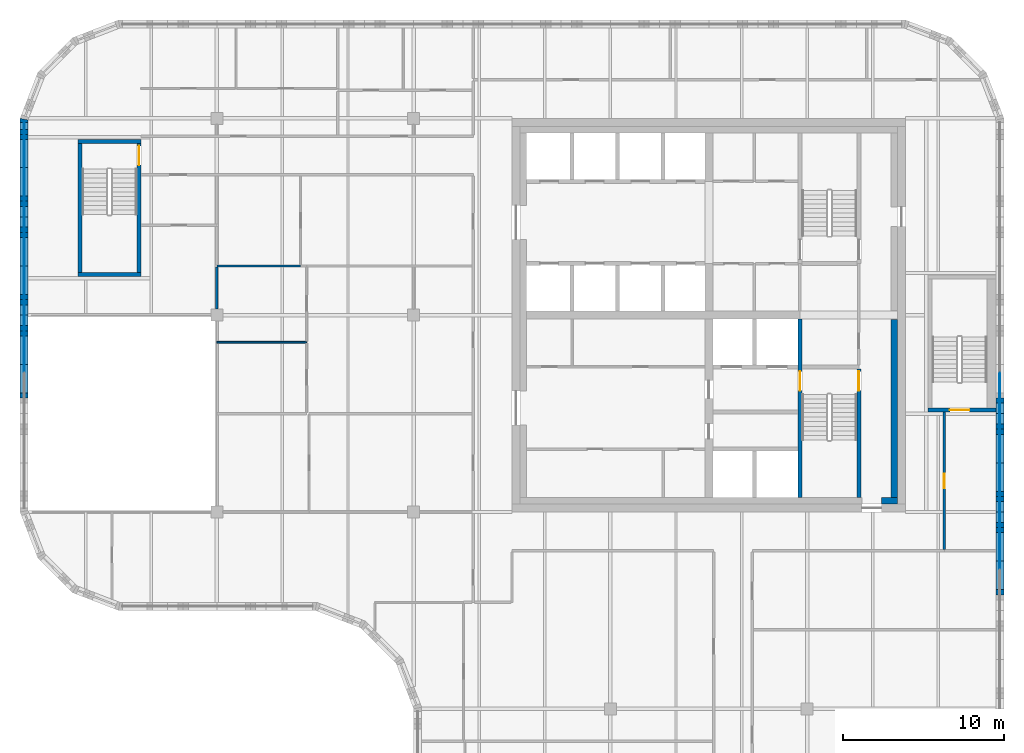
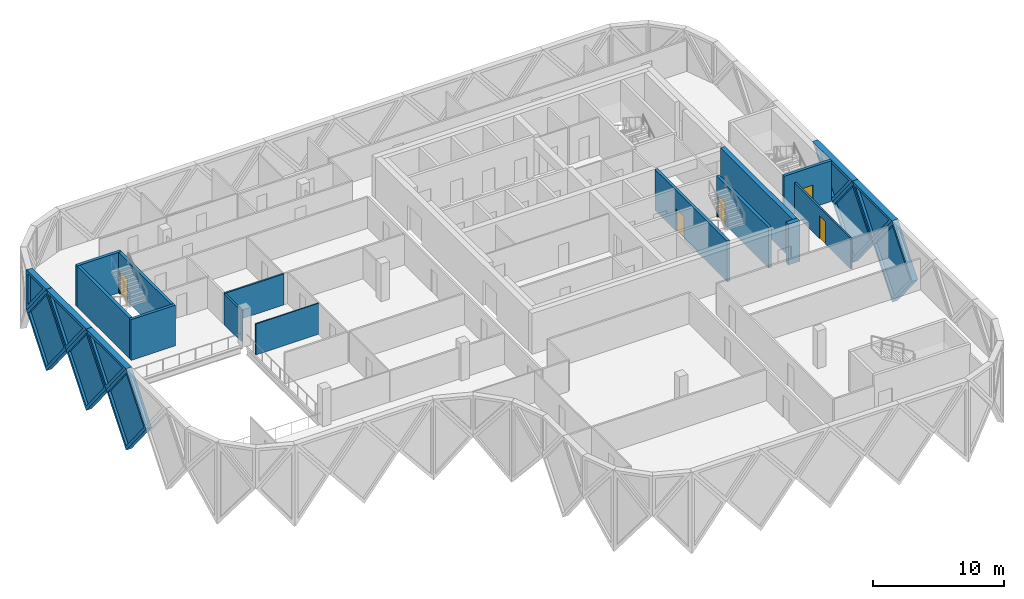
# One storey, part 8 of 15: 23 walls, 10 plates, 5 doors, 15 openings.
"""IFC4 building model written with IfcOpenShell, lengths in metres."""

from ifc_helpers import new_model, si_unit, direction, frame, frame_2d, origin, place, context, subcontext, project, spatial, polyline, rectangle, outline, extrude, faceted_brep, source, transform, mapped, material, layer, layer_set, type_object, element, fill, save


model = new_model("IFC4")

# Units and contexts
model_context = context("Model", 3, precision=1e-05, world=origin(), true_north=direction((0.0, 1.0)))
body_context = subcontext(model_context, "Body", "Model", "MODEL_VIEW")
ifc_project = project(units=[si_unit("LENGTHUNIT", "METRE"), si_unit("AREAUNIT", "SQUARE_METRE"), si_unit("VOLUMEUNIT", "CUBIC_METRE"), si_unit("PLANEANGLEUNIT", "RADIAN"), si_unit("MASSUNIT", "GRAM", prefix="KILO")], contexts=[model_context])

# Site, building, storey
site_placement = place(None, origin())
site = spatial("IfcSite", under=ifc_project, at=site_placement, CompositionType="ELEMENT")
building_placement = place(site_placement, origin())
building = spatial("IfcBuilding", under=site, at=building_placement, Name="Tessera Gate Towers", CompositionType="ELEMENT")
storey_placement = place(building_placement, frame((0.0, 0.0, 228.300048828125)))
storey = spatial("IfcBuildingStorey", under=building, at=storey_placement, Name="L57", CompositionType="ELEMENT", Elevation=228.300048828125)

# Wall, opening, door
ifc_material_1 = material(Name="Concrete C40/50", Category="concrete")
ifc_layer_1 = layer(ifc_material_1, 0.25)
ifc_layer_set_1 = layer_set([ifc_layer_1], Name="CORE ENCLOSURE WALL 250")
wall_type_1 = type_object("IfcWallType", Name="CORE ENCLOSURE WALL 250", PredefinedType="SOLIDWALL", material=ifc_layer_set_1)
wall_1_placement = place(storey_placement, frame((48.35009765625, 36.35009765625, 0.0), z_axis=(0.0, 0.0, 1.0), x_axis=(0.0, -1.0, 0.0)))
wall_1 = element("IfcWall", 1, at=wall_1_placement, inside=storey, type_object=wall_type_1, Name="L57 shaft and stair enclosure wall", PredefinedType="SOLIDWALL", context=body_context, shape_type="SweptSolid", body=[
    extrude(rectangle(XDim=11.050048828125, YDim=0.25, at=frame_2d((5.52490234375, 0.0))), origin(), (0.0, 0.0, 1.0), 3.800048828125),
])
shared_shape_1 = source(origin(), body_context, "Body", "SweptSolid", [
    extrude(rectangle(XDim=1.199951171875, YDim=2.10009765625, at=frame_2d((0.60009765625, 1.050048828125))), frame((0.0, 0.135009765625, 0.0), z_axis=(0.0, -1.0, 0.0), x_axis=(1.0, 0.0, 0.0)), (0.0, 0.0, 1.0), 0.27001953125),
])
opening_1_placement = place(wall_1_placement, frame((3.22509765625, 0.0, 0.0)))
opening_1 = element("IfcOpeningElement", 2, at=opening_1_placement, cuts=wall_1, Name="Opening SD-ST1-1", PredefinedType="OPENING", context=body_context, shape_type="MappedRepresentation", body=[
    mapped(shared_shape_1, transform((0.0, 0.0, 0.0), scale=1.0)),
])
ifc_material_2 = material(Name="Hollow steel fire door", Category="steel")
door_type_1 = type_object("IfcDoorType", Name="CORE DOOR SD 1200x2100", OperationType="NOTDEFINED", PredefinedType="DOOR", material=ifc_material_2)
shared_shape_2 = source(origin(), body_context, "Body", "SweptSolid", [
    extrude(rectangle(XDim=1.199951171875, YDim=2.10009765625, at=frame_2d((0.60009765625, 1.050048828125))), frame((0.0, 0.02490234375, 0.0), z_axis=(0.0, -1.0, 0.0), x_axis=(1.0, 0.0, 0.0)), (0.0, 0.0, 1.0), 0.050048828125),
])
door_1_placement = place(opening_1_placement, origin())
door_1 = element("IfcDoor", 3, at=door_1_placement, inside=storey, type_object=door_type_1, Name="Stair door", OperationType="SINGLE_SWING_LEFT", OverallHeight=2.10009765625, OverallWidth=1.199951171875, PredefinedType="DOOR", context=body_context, shape_type="MappedRepresentation", body=[
    mapped(shared_shape_2, transform((0.0, 0.0, 0.0), scale=1.0)),
])
fill(opening_1, door_1)

wall_2_placement = place(storey_placement, frame((52.0, 25.300048828125, 0.0), z_axis=(0.0, 0.0, 1.0), x_axis=(0.0, 1.0, 0.0)))
wall_2 = element("IfcWall", 4, at=wall_2_placement, inside=storey, type_object=wall_type_1, Name="L57 shaft and stair enclosure wall", PredefinedType="SOLIDWALL", context=body_context, shape_type="SweptSolid", body=[
    extrude(rectangle(XDim=7.974853515625, YDim=0.25, at=frame_2d((3.9873046875, 0.0))), origin(), (0.0, 0.0, 1.0), 3.800048828125),
])
opening_2_placement = place(wall_2_placement, frame((6.625, 0.0, 0.0)))
opening_2 = element("IfcOpeningElement", 5, at=opening_2_placement, cuts=wall_2, Name="Opening SD-ST1-2", PredefinedType="OPENING", context=body_context, shape_type="MappedRepresentation", body=[
    mapped(shared_shape_1, transform((0.0, 0.0, 0.0), scale=1.0)),
])
door_2_placement = place(opening_2_placement, origin())
door_2 = element("IfcDoor", 6, at=door_2_placement, inside=storey, type_object=door_type_1, Name="Stair door", OperationType="SINGLE_SWING_RIGHT", OverallHeight=2.10009765625, OverallWidth=1.199951171875, PredefinedType="DOOR", context=body_context, shape_type="MappedRepresentation", body=[
    mapped(shared_shape_2, transform((0.0, 0.0, 0.0), scale=1.0)),
])
fill(opening_2, door_2)

# Walls
wall_3_placement = place(storey_placement, frame((7.5, 39.125, 0.0), z_axis=(0.0, 0.0, 1.0), x_axis=(-1.0, 0.0, 0.0)))
element("IfcWall", 7, at=wall_3_placement, inside=storey, type_object=wall_type_1, Name="L57 ST3 enclosure wall", PredefinedType="SOLIDWALL", context=body_context, shape_type="SweptSolid", body=[
    extrude(rectangle(XDim=3.89990234375, YDim=0.25, at=frame_2d((1.949951171875, 0.0))), origin(), (0.0, 0.0, 1.0), 3.800048828125),
])
wall_4_placement = place(storey_placement, frame((3.72509765625, 39.25, 0.0), z_axis=(0.0, 0.0, 1.0), x_axis=(0.0, 1.0, 0.0)))
element("IfcWall", 8, at=wall_4_placement, inside=storey, type_object=wall_type_1, Name="L57 ST3 enclosure wall", PredefinedType="SOLIDWALL", context=body_context, shape_type="SweptSolid", body=[
    extrude(rectangle(XDim=8.0, YDim=0.25, at=frame_2d((4.0, 0.0))), origin(), (0.0, 0.0, 1.0), 3.800048828125),
])
wall_5_placement = place(storey_placement, frame((3.60009765625, 47.375, 0.0), z_axis=(0.0, 0.0, 1.0), x_axis=(1.0, 0.0, 0.0)))
element("IfcWall", 9, at=wall_5_placement, inside=storey, type_object=wall_type_1, Name="L57 ST3 enclosure wall", PredefinedType="SOLIDWALL", context=body_context, shape_type="SweptSolid", body=[
    extrude(rectangle(XDim=3.89990234375, YDim=0.25, at=frame_2d((1.949951171875, 0.0))), origin(), (0.0, 0.0, 1.0), 3.800048828125),
])

# Wall, opening, door
wall_6_placement = place(storey_placement, frame((7.375, 47.25, 0.0), z_axis=(0.0, 0.0, 1.0), x_axis=(0.0, -1.0, 0.0)))
wall_6 = element("IfcWall", 10, at=wall_6_placement, inside=storey, type_object=wall_type_1, Name="L57 ST3 enclosure wall", PredefinedType="SOLIDWALL", context=body_context, shape_type="SweptSolid", body=[
    extrude(rectangle(XDim=8.0, YDim=0.25, at=frame_2d((4.0, 0.0))), origin(), (0.0, 0.0, 1.0), 3.800048828125),
])
opening_3_placement = place(wall_6_placement, frame((0.14990234375, 0.0, 0.0)))
opening_3 = element("IfcOpeningElement", 11, at=opening_3_placement, cuts=wall_6, Name="Opening SD-ST3-1", PredefinedType="OPENING", context=body_context, shape_type="MappedRepresentation", body=[
    mapped(shared_shape_1, transform((0.0, 0.0, 0.0), scale=1.0)),
])
door_3_placement = place(opening_3_placement, origin())
door_3 = element("IfcDoor", 12, at=door_3_placement, inside=storey, type_object=door_type_1, Name="Stair door", OperationType="SINGLE_SWING_LEFT", OverallHeight=2.10009765625, OverallWidth=1.199951171875, PredefinedType="DOOR", context=body_context, shape_type="MappedRepresentation", body=[
    mapped(shared_shape_2, transform((0.0, 0.0, 0.0), scale=1.0)),
])
fill(opening_3, door_3)

wall_7_placement = place(storey_placement, frame((60.5, 30.72509765625, 0.0), z_axis=(0.0, 0.0, 1.0), x_axis=(-1.0, 0.0, 0.0)))
wall_7 = element("IfcWall", 13, at=wall_7_placement, inside=storey, type_object=wall_type_1, Name="L57 ST5 enclosure wall", PredefinedType="SOLIDWALL", context=body_context, shape_type="SweptSolid", body=[
    extrude(rectangle(XDim=4.199951171875, YDim=0.25, at=frame_2d((2.10009765625, 0.0))), origin(), (0.0, 0.0, 1.0), 3.800048828125),
])
opening_4_placement = place(wall_7_placement, frame((1.64990234375, 0.0, 0.0)))
opening_4 = element("IfcOpeningElement", 14, at=opening_4_placement, cuts=wall_7, Name="Opening SD-ST5-1", PredefinedType="OPENING", context=body_context, shape_type="MappedRepresentation", body=[
    mapped(shared_shape_1, transform((0.0, 0.0, 0.0), scale=1.0)),
])
door_4_placement = place(opening_4_placement, origin())
door_4 = element("IfcDoor", 15, at=door_4_placement, inside=storey, type_object=door_type_1, Name="Stair door", OperationType="SINGLE_SWING_RIGHT", OverallHeight=2.10009765625, OverallWidth=1.199951171875, PredefinedType="DOOR", context=body_context, shape_type="MappedRepresentation", body=[
    mapped(shared_shape_2, transform((0.0, 0.0, 0.0), scale=1.0)),
])
fill(opening_4, door_4)

# Walls
ifc_material_3 = material(Name="Concrete C50/60", Category="concrete")
ifc_layer_2 = layer(ifc_material_3, 0.39990234375)
ifc_layer_set_2 = layer_set([ifc_layer_2], Name="CORE WALL THICKENING 400")
wall_type_2 = type_object("IfcWallType", Name="CORE WALL THICKENING 400", PredefinedType="SOLIDWALL", material=ifc_layer_set_2)
wall_8_placement = place(storey_placement, frame((53.39990234375, 25.10009765625, 0.0), z_axis=(0.0, 0.0, 1.0), x_axis=(1.0, 0.0, 0.0)))
element("IfcWall", 16, at=wall_8_placement, inside=storey, type_object=wall_type_2, Name="Core wall thickening S L57", PredefinedType="SOLIDWALL", context=body_context, shape_type="SweptSolid", body=[
    extrude(rectangle(XDim=1.0, YDim=0.39990234375, at=frame_2d((0.5, 0.0))), origin(), (0.0, 0.0, 1.0), 3.800048828125),
])
wall_9_placement = place(storey_placement, frame((54.199951171875, 25.300048828125, 0.0), z_axis=(0.0, 0.0, 1.0), x_axis=(0.0, 1.0, 0.0)))
element("IfcWall", 17, at=wall_9_placement, inside=storey, type_object=wall_type_2, Name="Core wall thickening E L57", PredefinedType="SOLIDWALL", context=body_context, shape_type="SweptSolid", body=[
    extrude(rectangle(XDim=11.02001953125, YDim=0.39990234375, at=frame_2d((5.510009765625, 0.0))), origin(), (0.0, 0.0, 1.0), 3.800048828125),
])

# Wall, opening, door
ifc_material_4 = material(Name="Gypsum board on steel studs, mineral wool", Category="steel")
ifc_layer_3 = layer(ifc_material_4, 0.14990234375)
ifc_layer_set_3 = layer_set([ifc_layer_3], Name="CORRIDOR WALL 150")
wall_type_3 = type_object("IfcWallType", Name="CORRIDOR WALL 150", PredefinedType="PARTITIONING", material=ifc_layer_set_3)
wall_10_placement = place(storey_placement, frame((57.300048828125, 30.60009765625, 0.0), z_axis=(0.0, 0.0, 1.0), x_axis=(0.0, -1.0, 0.0)))
wall_10 = element("IfcWall", 18, at=wall_10_placement, inside=storey, type_object=wall_type_3, Name="T1-L57-PW-021", PredefinedType="PARTITIONING", context=body_context, shape_type="SweptSolid", body=[
    extrude(rectangle(XDim=8.524169921875, YDim=0.14990234375, at=frame_2d((4.26220703125, 0.0))), origin(), (0.0, 0.0, 1.0), 2.887939453125),
])
shared_shape_3 = source(origin(), body_context, "Body", "SweptSolid", [
    extrude(rectangle(XDim=0.89990234375, YDim=2.10009765625, at=frame_2d((0.449951171875, 1.050048828125))), frame((0.0, 0.0849609375, 0.0), z_axis=(0.0, -1.0, 0.0), x_axis=(1.0, 0.0, 0.0)), (0.0, 0.0, 1.0), 0.169921875),
])
opening_5_placement = place(wall_10_placement, frame((3.823974609375, 0.0, 0.0)))
opening_5 = element("IfcOpeningElement", 19, at=opening_5_placement, cuts=wall_10, Name="Opening D890FD60-A20-06", PredefinedType="OPENING", context=body_context, shape_type="MappedRepresentation", body=[
    mapped(shared_shape_3, transform((0.0, 0.0, 0.0), scale=1.0)),
])
ifc_material_5 = material(Name="Timber door leaf in steel frame", Category="steel")
door_type_2 = type_object("IfcDoorType", Name="CORRIDOR DOOR 900 FD60", OperationType="NOTDEFINED", PredefinedType="DOOR", material=ifc_material_5)
shared_shape_4 = source(origin(), body_context, "Body", "SweptSolid", [
    extrude(rectangle(XDim=0.89990234375, YDim=2.10009765625, at=frame_2d((0.449951171875, 1.050048828125))), frame((0.0, 0.02490234375, 0.0), z_axis=(0.0, -1.0, 0.0), x_axis=(1.0, 0.0, 0.0)), (0.0, 0.0, 1.0), 0.050048828125),
])
door_5_placement = place(opening_5_placement, origin())
door_5 = element("IfcDoor", 20, at=door_5_placement, inside=storey, type_object=door_type_2, Name="T1-L57-PD-021", OperationType="SINGLE_SWING_RIGHT", OverallHeight=2.10009765625, OverallWidth=0.89990234375, PredefinedType="DOOR", context=body_context, shape_type="MappedRepresentation", body=[
    mapped(shared_shape_4, transform((0.0, 0.0, 0.0), scale=1.0)),
])
fill(opening_5, door_5)

# Walls
ifc_material_6 = material(Name="Gypsum board on steel studs", Category="steel")
ifc_layer_4 = layer(ifc_material_6, 0.10009765625)
ifc_layer_set_4 = layer_set([ifc_layer_4], Name="PARTITION 100")
wall_type_4 = type_object("IfcWallType", Name="PARTITION 100", PredefinedType="PARTITIONING", material=ifc_layer_set_4)
wall_11_placement = place(storey_placement, frame((12.199951171875, 34.919921875, 0.0), z_axis=(0.0, 0.0, 1.0), x_axis=(1.0, 0.0, 0.0)))
element("IfcWall", 21, at=wall_11_placement, inside=storey, type_object=wall_type_4, Name="T1-L57-PW-029", PredefinedType="PARTITIONING", context=body_context, shape_type="SweptSolid", body=[
    extrude(rectangle(XDim=5.574951171875, YDim=0.10009765625, at=frame_2d((2.78759765625, 0.0))), origin(), (0.0, 0.0, 1.0), 2.887939453125),
])
ifc_material_7 = material(Name="Gypsum board on steel studs, mineral wool", Category="steel")
ifc_layer_5 = layer(ifc_material_7, 0.14990234375)
ifc_layer_set_5 = layer_set([ifc_layer_5], Name="TENANCY WALL 150")
wall_type_5 = type_object("IfcWallType", Name="TENANCY WALL 150", PredefinedType="PARTITIONING", material=ifc_layer_set_5)
wall_12_placement = place(storey_placement, frame((12.199951171875, 36.97607421875, 0.0), z_axis=(0.0, 0.0, 1.0), x_axis=(0.0, 1.0, 0.0)))
element("IfcWall", 22, at=wall_12_placement, inside=storey, type_object=wall_type_5, Name="T1-L57-PW-031", PredefinedType="PARTITIONING", context=body_context, shape_type="SweptSolid", body=[
    extrude(rectangle(XDim=2.597900390625, YDim=0.14990234375, at=frame_2d((1.298828125, 0.0))), origin(), (0.0, 0.0, 1.0), 2.887939453125),
])
wall_13_placement = place(storey_placement, frame((12.199951171875, 39.64990234375, 0.0), z_axis=(0.0, 0.0, 1.0), x_axis=(1.0, 0.0, 0.0)))
element("IfcWall", 23, at=wall_13_placement, inside=storey, type_object=wall_type_5, Name="T1-L57-PW-033", PredefinedType="PARTITIONING", context=body_context, shape_type="SweptSolid", body=[
    extrude(rectangle(XDim=5.199951171875, YDim=0.14990234375, at=frame_2d((2.60009765625, 0.0))), origin(), (0.0, 0.0, 1.0), 2.887939453125),
])

# Wall, opening, plate
ifc_material_8 = material(Name="Precast concrete C60/75 white", Category="concrete")
ifc_layer_6 = layer(ifc_material_8, 0.5)
ifc_layer_set_6 = layer_set([ifc_layer_6], Name="TS1 tessera")
wall_type_6 = type_object("IfcWallType", Name="TS1 tessera", PredefinedType="SOLIDWALL", material=ifc_layer_set_6)
shared_shape_5 = source(origin(), body_context, "Body", "Brep", [
    faceted_brep([(3.00341796875, -0.25, 0.0), (6.053466796875, -0.25, 3.800048828125), (3.00341796875, -0.25, 7.60009765625), (0.0, -0.25, 3.800048828125), (0.046630859375, 0.25, 3.85888671875), (3.00341796875, 0.25, 7.60009765625), (6.053466796875, 0.25, 3.800048828125), (3.00341796875, 0.25, 0.0), (0.046630859375, 0.25, 3.7412109375), (0.0, 0.0, 3.800048828125)], [[[0, 1, 2, 3]], [[4, 5, 6, 7, 8]], [[7, 6, 1, 0]], [[6, 5, 2, 1]], [[5, 4, 9, 3, 2]], [[8, 7, 0, 3, 9]], [[8, 9, 4]]]),
])
wall_14_placement = place(storey_placement, frame((0.25, 48.75341796875, -3.800048828125), z_axis=(0.0, 0.0, 1.0), x_axis=(0.0, -1.0, 0.0)))
wall_14 = element("IfcWall", 24, at=wall_14_placement, inside=storey, type_object=wall_type_6, Name="Precast tessera T1 TS1-1029", PredefinedType="SOLIDWALL", context=body_context, shape_type="MappedRepresentation", body=[
    mapped(shared_shape_5, transform((0.0, 0.0, 0.0), scale=1.0)),
])
shared_shape_6 = source(origin(), body_context, "Body", "SweptSolid", [
    extrude(outline(polyline([(3.0048828125, 0.4013671875), (5.73291015625, 3.800048828125), (3.0048828125, 7.19873046875), (0.318603515625, 3.800048828125), (3.0048828125, 0.4013671875)])), frame((0.0, 0.260009765625, 0.0), z_axis=(0.0, -1.0, 0.0), x_axis=(1.0, 0.0, 0.0)), (0.0, 0.0, 1.0), 0.52001953125),
])
opening_6_placement = place(wall_14_placement, origin())
opening_6 = element("IfcOpeningElement", 25, at=opening_6_placement, cuts=wall_14, Name="Opening T1-PL2-2099", PredefinedType="OPENING", context=body_context, shape_type="MappedRepresentation", body=[
    mapped(shared_shape_6, transform((0.0, 0.0, 0.0), scale=1.0)),
])
ifc_material_9 = material(Name="Low-e laminated glass", Category="glass")
ifc_layer_7 = layer(ifc_material_9, 0.06005859375)
ifc_layer_set_7 = layer_set([ifc_layer_7], Name="PL2 rhombic pane")
plate_type_1 = type_object("IfcPlateType", Name="PL2 rhombic pane", PredefinedType="SHEET", material=ifc_layer_set_7)
shared_shape_7 = source(origin(), body_context, "Body", "SweptSolid", [
    extrude(outline(polyline([(3.0048828125, 0.4013671875), (5.73291015625, 3.800048828125), (3.0048828125, 7.19873046875), (0.318603515625, 3.800048828125), (3.0048828125, 0.4013671875)])), frame((0.0, 0.030029296875, 0.0), z_axis=(0.0, -1.0, 0.0), x_axis=(1.0, 0.0, 0.0)), (0.0, 0.0, 1.0), 0.06005859375),
])
plate_1_placement = place(opening_6_placement, origin())
plate_1 = element("IfcPlate", 26, at=plate_1_placement, inside=storey, type_object=plate_type_1, Name="Glass pane T1 PL2-2099", PredefinedType="SHEET", context=body_context, shape_type="MappedRepresentation", body=[
    mapped(shared_shape_7, transform((0.0, 0.0, 0.0), scale=1.0)),
])
fill(opening_6, plate_1)

shared_shape_8 = source(origin(), body_context, "Body", "Brep", [
    faceted_brep([(3.050048828125, -0.25, 0.0), (6.099853515625, -0.25, 3.7998046875), (6.099853515625, -0.25, 3.80029296875), (3.050048828125, -0.25, 7.60009765625), (0.0, -0.25, 3.800048828125), (0.0, 0.25, 3.800048828125), (3.050048828125, 0.25, 7.60009765625), (6.099853515625, 0.25, 3.80029296875), (6.099853515625, 0.25, 3.7998046875), (3.050048828125, 0.25, 0.0)], [[[0, 1, 2, 3, 4]], [[5, 6, 7, 8, 9]], [[9, 8, 1, 0]], [[7, 6, 3, 2]], [[6, 5, 4, 3]], [[5, 9, 0, 4]], [[1, 8, 7, 2]]]),
])
wall_15_placement = place(storey_placement, frame((60.75, 18.300048828125, -3.800048828125), z_axis=(0.0, 0.0, 1.0), x_axis=(0.0, 1.0, 0.0)))
wall_15 = element("IfcWall", 27, at=wall_15_placement, inside=storey, type_object=wall_type_6, Name="Precast tessera T1 TS1-1017", PredefinedType="SOLIDWALL", context=body_context, shape_type="MappedRepresentation", body=[
    mapped(shared_shape_8, transform((0.0, 0.0, 0.0), scale=1.0)),
])
shared_shape_9 = source(origin(), body_context, "Body", "SweptSolid", [
    extrude(outline(polyline([(3.050048828125, 0.3994140625), (5.779541015625, 3.800048828125), (3.050048828125, 7.20068359375), (0.320556640625, 3.800048828125), (3.050048828125, 0.3994140625)])), frame((0.0, 0.260009765625, 0.0), z_axis=(0.0, -1.0, 0.0), x_axis=(1.0, 0.0, 0.0)), (0.0, 0.0, 1.0), 0.52001953125),
])
opening_7_placement = place(wall_15_placement, origin())
opening_7 = element("IfcOpeningElement", 28, at=opening_7_placement, cuts=wall_15, Name="Opening T1-PL2-2079", PredefinedType="OPENING", context=body_context, shape_type="MappedRepresentation", body=[
    mapped(shared_shape_9, transform((0.0, 0.0, 0.0), scale=1.0)),
])
shared_shape_10 = source(origin(), body_context, "Body", "SweptSolid", [
    extrude(outline(polyline([(3.050048828125, 0.3994140625), (5.779541015625, 3.800048828125), (3.050048828125, 7.20068359375), (0.320556640625, 3.800048828125), (3.050048828125, 0.3994140625)])), frame((0.0, 0.030029296875, 0.0), z_axis=(0.0, -1.0, 0.0), x_axis=(1.0, 0.0, 0.0)), (0.0, 0.0, 1.0), 0.06005859375),
])
plate_2_placement = place(opening_7_placement, origin())
plate_2 = element("IfcPlate", 29, at=plate_2_placement, inside=storey, type_object=plate_type_1, Name="Glass pane T1 PL2-2079", PredefinedType="SHEET", context=body_context, shape_type="MappedRepresentation", body=[
    mapped(shared_shape_10, transform((0.0, 0.0, 0.0), scale=1.0)),
])
fill(opening_7, plate_2)

wall_16_placement = place(storey_placement, frame((0.25, 42.699951171875, -3.800048828125), z_axis=(0.0, 0.0, 1.0), x_axis=(0.0, -1.0, 0.0)))
wall_16 = element("IfcWall", 30, at=wall_16_placement, inside=storey, type_object=wall_type_6, Name="Precast tessera T1 TS1-1030", PredefinedType="SOLIDWALL", context=body_context, shape_type="MappedRepresentation", body=[
    mapped(shared_shape_8, transform((0.0, 0.0, 0.0), scale=1.0)),
])
opening_8_placement = place(wall_16_placement, origin())
opening_8 = element("IfcOpeningElement", 31, at=opening_8_placement, cuts=wall_16, Name="Opening T1-PL2-2100", PredefinedType="OPENING", context=body_context, shape_type="MappedRepresentation", body=[
    mapped(shared_shape_9, transform((0.0, 0.0, 0.0), scale=1.0)),
])
plate_3_placement = place(opening_8_placement, origin())
plate_3 = element("IfcPlate", 32, at=plate_3_placement, inside=storey, type_object=plate_type_1, Name="Glass pane T1 PL2-2100", PredefinedType="SHEET", context=body_context, shape_type="MappedRepresentation", body=[
    mapped(shared_shape_10, transform((0.0, 0.0, 0.0), scale=1.0)),
])
fill(opening_8, plate_3)

shared_shape_11 = source(origin(), body_context, "Body", "SweptSolid", [
    extrude(outline(polyline([(3.050048828125, 0.0), (6.10009765625, 3.800048828125), (3.050048828125, 7.60009765625), (0.0, 3.800048828125), (3.050048828125, 0.0)])), frame((0.0, 0.25, 0.0), z_axis=(0.0, -1.0, 0.0), x_axis=(1.0, 0.0, 0.0)), (0.0, 0.0, 1.0), 0.5),
])
wall_17_placement = place(storey_placement, frame((60.75, 24.39990234375, -3.800048828125), z_axis=(0.0, 0.0, 1.0), x_axis=(0.0, 1.0, 0.0)))
wall_17 = element("IfcWall", 33, at=wall_17_placement, inside=storey, type_object=wall_type_6, Name="Precast tessera T1 TS1-1018", PredefinedType="SOLIDWALL", context=body_context, shape_type="MappedRepresentation", body=[
    mapped(shared_shape_11, transform((0.0, 0.0, 0.0), scale=1.0)),
])
opening_9_placement = place(wall_17_placement, origin())
opening_9 = element("IfcOpeningElement", 34, at=opening_9_placement, cuts=wall_17, Name="Opening T1-PL2-2080", PredefinedType="OPENING", context=body_context, shape_type="MappedRepresentation", body=[
    mapped(shared_shape_9, transform((0.0, 0.0, 0.0), scale=1.0)),
])
plate_4_placement = place(opening_9_placement, origin())
plate_4 = element("IfcPlate", 35, at=plate_4_placement, inside=storey, type_object=plate_type_1, Name="Glass pane T1 PL2-2080", PredefinedType="SHEET", context=body_context, shape_type="MappedRepresentation", body=[
    mapped(shared_shape_10, transform((0.0, 0.0, 0.0), scale=1.0)),
])
fill(opening_9, plate_4)

wall_18_placement = place(storey_placement, frame((0.25, 36.60009765625, -3.800048828125), z_axis=(0.0, 0.0, 1.0), x_axis=(0.0, -1.0, 0.0)))
wall_18 = element("IfcWall", 36, at=wall_18_placement, inside=storey, type_object=wall_type_6, Name="Precast tessera T1 TS1-1031", PredefinedType="SOLIDWALL", context=body_context, shape_type="MappedRepresentation", body=[
    mapped(shared_shape_11, transform((0.0, 0.0, 0.0), scale=1.0)),
])
opening_10_placement = place(wall_18_placement, origin())
opening_10 = element("IfcOpeningElement", 37, at=opening_10_placement, cuts=wall_18, Name="Opening T1-PL2-2101", PredefinedType="OPENING", context=body_context, shape_type="MappedRepresentation", body=[
    mapped(shared_shape_9, transform((0.0, 0.0, 0.0), scale=1.0)),
])
plate_5_placement = place(opening_10_placement, origin())
plate_5 = element("IfcPlate", 38, at=plate_5_placement, inside=storey, type_object=plate_type_1, Name="Glass pane T1 PL2-2101", PredefinedType="SHEET", context=body_context, shape_type="MappedRepresentation", body=[
    mapped(shared_shape_10, transform((0.0, 0.0, 0.0), scale=1.0)),
])
fill(opening_10, plate_5)

ifc_material_10 = material(Name="Precast concrete C60/75 white", Category="concrete")
ifc_layer_8 = layer(ifc_material_10, 0.5)
ifc_layer_set_8 = layer_set([ifc_layer_8], Name="TS3 corner tessera")
wall_type_7 = type_object("IfcWallType", Name="TS3 corner tessera", PredefinedType="SOLIDWALL", material=ifc_layer_set_8)
shared_shape_12 = source(origin(), body_context, "Body", "Brep", [
    faceted_brep([(0.046630859375, -0.25, 0.0), (3.050048828125, -0.25, 3.800048828125), (0.0, -0.25, 3.800048828125), (0.0, -0.25, 0.06005859375), (0.09326171875, 0.25, 3.800048828125), (3.050048828125, 0.25, 3.800048828125), (0.09326171875, 0.25, 0.058837890625), (0.046630859375, 0.0, 0.0)], [[[0, 1, 2, 3]], [[4, 5, 6]], [[6, 5, 1, 0, 7]], [[5, 4, 2, 1]], [[7, 0, 3]], [[6, 7, 3, 2, 4]]]),
])
wall_19_placement = place(storey_placement, frame((0.25, 48.800048828125, 0.0), z_axis=(0.0, 0.0, 1.0), x_axis=(0.0, -1.0, 0.0)))
wall_19 = element("IfcWall", 39, at=wall_19_placement, inside=storey, type_object=wall_type_7, Name="Precast corner tessera T1 TS3-1356", PredefinedType="SOLIDWALL", context=body_context, shape_type="MappedRepresentation", body=[
    mapped(shared_shape_12, transform((0.0, 0.0, 0.0), scale=1.0)),
])
shared_shape_13 = source(origin(), body_context, "Body", "SweptSolid", [
    extrude(outline(polyline([(0.24658203125, 0.65625), (2.533935546875, 3.550048828125), (0.24658203125, 3.550048828125), (0.24658203125, 0.65625)])), frame((0.0, 0.260009765625, 0.0), z_axis=(0.0, -1.0, 0.0), x_axis=(1.0, 0.0, 0.0)), (0.0, 0.0, 1.0), 0.52001953125),
])
opening_11_placement = place(wall_19_placement, origin())
opening_11 = element("IfcOpeningElement", 40, at=opening_11_placement, cuts=wall_19, Name="Opening T1-PL1-0546", PredefinedType="OPENING", context=body_context, shape_type="MappedRepresentation", body=[
    mapped(shared_shape_13, transform((0.0, 0.0, 0.0), scale=1.0)),
])
ifc_material_11 = material(Name="Low-e laminated glass", Category="glass")
ifc_layer_9 = layer(ifc_material_11, 0.06005859375)
ifc_layer_set_9 = layer_set([ifc_layer_9], Name="PL1 triangular pane")
plate_type_2 = type_object("IfcPlateType", Name="PL1 triangular pane", PredefinedType="SHEET", material=ifc_layer_set_9)
shared_shape_14 = source(origin(), body_context, "Body", "SweptSolid", [
    extrude(outline(polyline([(0.24658203125, 0.65625), (2.533935546875, 3.550048828125), (0.24658203125, 3.550048828125), (0.24658203125, 0.65625)])), frame((0.0, 0.030029296875, 0.0), z_axis=(0.0, -1.0, 0.0), x_axis=(1.0, 0.0, 0.0)), (0.0, 0.0, 1.0), 0.06005859375),
])
plate_6_placement = place(opening_11_placement, origin())
plate_6 = element("IfcPlate", 41, at=plate_6_placement, inside=storey, type_object=plate_type_2, Name="Glass pane T1 PL1-0546", PredefinedType="SHEET", context=body_context, shape_type="MappedRepresentation", body=[
    mapped(shared_shape_14, transform((0.0, 0.0, 0.0), scale=1.0)),
])
fill(opening_11, plate_6)

ifc_material_12 = material(Name="Precast concrete C60/75 white", Category="concrete")
ifc_layer_10 = layer(ifc_material_12, 0.5)
ifc_layer_set_10 = layer_set([ifc_layer_10], Name="TS2 half tessera")
wall_type_8 = type_object("IfcWallType", Name="TS2 half tessera", PredefinedType="SOLIDWALL", material=ifc_layer_set_10)
shared_shape_15 = source(origin(), body_context, "Body", "Brep", [
    faceted_brep([(3.050048828125, -0.25, 0.0), (6.099853515625, -0.25, 3.7998046875), (6.099853515625, -0.25, 3.800048828125), (0.0, -0.25, 3.800048828125), (0.0, 0.25, 3.800048828125), (6.099853515625, 0.25, 3.800048828125), (6.099853515625, 0.25, 3.7998046875), (3.050048828125, 0.25, 0.0)], [[[0, 1, 2, 3]], [[4, 5, 6, 7]], [[7, 6, 1, 0]], [[5, 4, 3, 2]], [[4, 7, 0, 3]], [[1, 6, 5, 2]]]),
])
wall_20_placement = place(storey_placement, frame((60.75, 21.35009765625, 0.0), z_axis=(0.0, 0.0, 1.0), x_axis=(0.0, 1.0, 0.0)))
wall_20 = element("IfcWall", 42, at=wall_20_placement, inside=storey, type_object=wall_type_8, Name="Precast half tessera T1 TS2-0259", PredefinedType="SOLIDWALL", context=body_context, shape_type="MappedRepresentation", body=[
    mapped(shared_shape_15, transform((0.0, 0.0, 0.0), scale=1.0)),
])
shared_shape_16 = source(origin(), body_context, "Body", "SweptSolid", [
    extrude(outline(polyline([(3.050048828125, 0.3994140625), (5.578857421875, 3.550048828125), (0.521240234375, 3.550048828125), (3.050048828125, 0.3994140625)])), frame((0.0, 0.260009765625, 0.0), z_axis=(0.0, -1.0, 0.0), x_axis=(1.0, 0.0, 0.0)), (0.0, 0.0, 1.0), 0.52001953125),
])
opening_12_placement = place(wall_20_placement, origin())
opening_12 = element("IfcOpeningElement", 43, at=opening_12_placement, cuts=wall_20, Name="Opening T1-PL1-0527", PredefinedType="OPENING", context=body_context, shape_type="MappedRepresentation", body=[
    mapped(shared_shape_16, transform((0.0, 0.0, 0.0), scale=1.0)),
])
shared_shape_17 = source(origin(), body_context, "Body", "SweptSolid", [
    extrude(outline(polyline([(3.050048828125, 0.3994140625), (5.578857421875, 3.550048828125), (0.521240234375, 3.550048828125), (3.050048828125, 0.3994140625)])), frame((0.0, 0.030029296875, 0.0), z_axis=(0.0, -1.0, 0.0), x_axis=(1.0, 0.0, 0.0)), (0.0, 0.0, 1.0), 0.06005859375),
])
plate_7_placement = place(opening_12_placement, origin())
plate_7 = element("IfcPlate", 44, at=plate_7_placement, inside=storey, type_object=plate_type_2, Name="Glass pane T1 PL1-0527", PredefinedType="SHEET", context=body_context, shape_type="MappedRepresentation", body=[
    mapped(shared_shape_17, transform((0.0, 0.0, 0.0), scale=1.0)),
])
fill(opening_12, plate_7)

wall_21_placement = place(storey_placement, frame((0.25, 39.64990234375, 0.0), z_axis=(0.0, 0.0, 1.0), x_axis=(0.0, -1.0, 0.0)))
wall_21 = element("IfcWall", 45, at=wall_21_placement, inside=storey, type_object=wall_type_8, Name="Precast half tessera T1 TS2-0272", PredefinedType="SOLIDWALL", context=body_context, shape_type="MappedRepresentation", body=[
    mapped(shared_shape_15, transform((0.0, 0.0, 0.0), scale=1.0)),
])
opening_13_placement = place(wall_21_placement, origin())
opening_13 = element("IfcOpeningElement", 46, at=opening_13_placement, cuts=wall_21, Name="Opening T1-PL1-0548", PredefinedType="OPENING", context=body_context, shape_type="MappedRepresentation", body=[
    mapped(shared_shape_16, transform((0.0, 0.0, 0.0), scale=1.0)),
])
plate_8_placement = place(opening_13_placement, origin())
plate_8 = element("IfcPlate", 47, at=plate_8_placement, inside=storey, type_object=plate_type_2, Name="Glass pane T1 PL1-0548", PredefinedType="SHEET", context=body_context, shape_type="MappedRepresentation", body=[
    mapped(shared_shape_17, transform((0.0, 0.0, 0.0), scale=1.0)),
])
fill(opening_13, plate_8)

shared_shape_18 = source(origin(), body_context, "Body", "SweptSolid", [
    extrude(outline(polyline([(3.050048828125, 0.0), (6.10009765625, 3.800048828125), (0.0, 3.800048828125), (3.050048828125, 0.0)])), frame((0.0, 0.25, 0.0), z_axis=(0.0, -1.0, 0.0), x_axis=(1.0, 0.0, 0.0)), (0.0, 0.0, 1.0), 0.5),
])
wall_22_placement = place(storey_placement, frame((60.75, 27.449951171875, 0.0), z_axis=(0.0, 0.0, 1.0), x_axis=(0.0, 1.0, 0.0)))
wall_22 = element("IfcWall", 48, at=wall_22_placement, inside=storey, type_object=wall_type_8, Name="Precast half tessera T1 TS2-0260", PredefinedType="SOLIDWALL", context=body_context, shape_type="MappedRepresentation", body=[
    mapped(shared_shape_18, transform((0.0, 0.0, 0.0), scale=1.0)),
])
opening_14_placement = place(wall_22_placement, origin())
opening_14 = element("IfcOpeningElement", 49, at=opening_14_placement, cuts=wall_22, Name="Opening T1-PL1-0528", PredefinedType="OPENING", context=body_context, shape_type="MappedRepresentation", body=[
    mapped(shared_shape_16, transform((0.0, 0.0, 0.0), scale=1.0)),
])
plate_9_placement = place(opening_14_placement, origin())
plate_9 = element("IfcPlate", 50, at=plate_9_placement, inside=storey, type_object=plate_type_2, Name="Glass pane T1 PL1-0528", PredefinedType="SHEET", context=body_context, shape_type="MappedRepresentation", body=[
    mapped(shared_shape_17, transform((0.0, 0.0, 0.0), scale=1.0)),
])
fill(opening_14, plate_9)

wall_23_placement = place(storey_placement, frame((0.25, 45.75, 0.0), z_axis=(0.0, 0.0, 1.0), x_axis=(0.0, -1.0, 0.0)))
wall_23 = element("IfcWall", 51, at=wall_23_placement, inside=storey, type_object=wall_type_8, Name="Precast half tessera T1 TS2-0271", PredefinedType="SOLIDWALL", context=body_context, shape_type="MappedRepresentation", body=[
    mapped(shared_shape_18, transform((0.0, 0.0, 0.0), scale=1.0)),
])
opening_15_placement = place(wall_23_placement, origin())
opening_15 = element("IfcOpeningElement", 52, at=opening_15_placement, cuts=wall_23, Name="Opening T1-PL1-0547", PredefinedType="OPENING", context=body_context, shape_type="MappedRepresentation", body=[
    mapped(shared_shape_16, transform((0.0, 0.0, 0.0), scale=1.0)),
])
plate_10_placement = place(opening_15_placement, origin())
plate_10 = element("IfcPlate", 53, at=plate_10_placement, inside=storey, type_object=plate_type_2, Name="Glass pane T1 PL1-0547", PredefinedType="SHEET", context=body_context, shape_type="MappedRepresentation", body=[
    mapped(shared_shape_17, transform((0.0, 0.0, 0.0), scale=1.0)),
])
fill(opening_15, plate_10)

save(model, "model.ifc")
